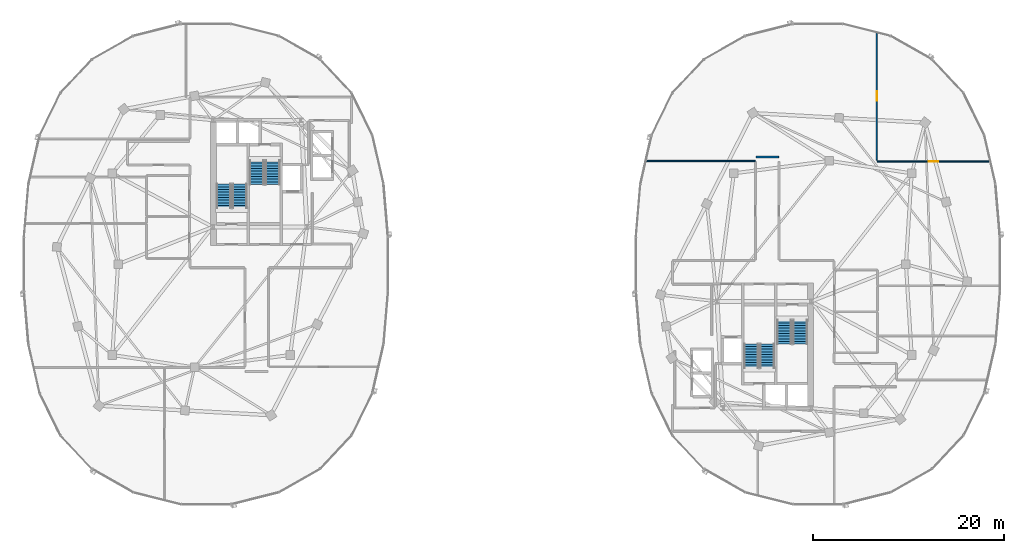
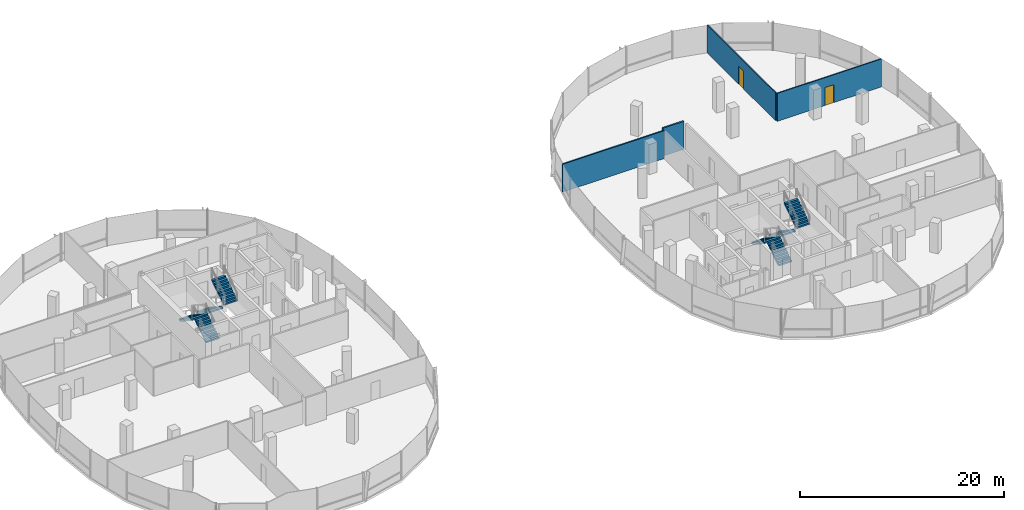
# One storey, part 18 of 25: 8 stair flights, 4 walls, 2 doors, 2 openings, 4 elements without a shape of their own.
"""IFC4 building model written with IfcOpenShell, lengths in metres."""

from ifc_helpers import new_model, si_unit, direction, frame, frame_2d, origin, place, context, subcontext, project, spatial, polyline, rectangle, outline, extrude, material, layer, layer_set, type_object, element, fill, aggregate, save


model = new_model("IFC4")

# Units and contexts
model_context = context("Model", 3, precision=1e-05, world=origin(), true_north=direction((0.0, 1.0)))
body_context = subcontext(model_context, "Body", "Model", "MODEL_VIEW")
ifc_project = project(units=[si_unit("LENGTHUNIT", "METRE"), si_unit("AREAUNIT", "SQUARE_METRE"), si_unit("VOLUMEUNIT", "CUBIC_METRE"), si_unit("PLANEANGLEUNIT", "RADIAN"), si_unit("MASSUNIT", "GRAM", prefix="KILO"), si_unit("THERMODYNAMICTEMPERATUREUNIT", "KELVIN"), si_unit("POWERUNIT", "WATT")], contexts=[model_context])

# Site, building, storey
site_placement = place(None, origin())
site = spatial("IfcSite", under=ifc_project, at=site_placement, CompositionType="ELEMENT")
building_placement = place(site_placement, origin())
building = spatial("IfcBuilding", under=site, at=building_placement, Name="Cundina Bronze Exchange", CompositionType="ELEMENT")
storey_placement = place(building_placement, frame((0.0, 0.0, 217.0)))
storey = spatial("IfcBuildingStorey", under=building, at=storey_placement, Name="L57", CompositionType="ELEMENT", Elevation=217.0)

# Wall
ifc_material_1 = material(Name="Gypsum Fireboard Partition EI120")
ifc_layer_1 = layer(ifc_material_1, 0.179931640625, Name="Gypsum Fireboard Partition EI120")
ifc_layer_set_1 = layer_set([ifc_layer_1], Name="Gypsum Fireboard Partition EI120")
wall_type_1 = type_object("IfcWallType", Name="WL-COR-180", PredefinedType="PARTITIONING", material=ifc_layer_set_1)
wall_1_placement = place(storey_placement, frame((27.87841796875, 11.219970703125, 0.0), z_axis=(0.0, 0.0, 1.0), x_axis=(-1.0, 0.0, 0.0)))
element("IfcWall", 1, at=wall_1_placement, inside=storey, type_object=wall_type_1, Name="L57 Interior Partition 073", PredefinedType="PARTITIONING", context=body_context, shape_type="SweptSolid", body=[
    extrude(rectangle(XDim=2.35693359375, YDim=0.179931640625, at=frame_2d((1.178466796875, 0.0))), origin(), (0.0, 0.0, 1.0), 3.340087890625),
])

# Wall, opening, door
ifc_material_2 = material(Name="Gypsum Acoustic Partition EI60")
ifc_layer_2 = layer(ifc_material_2, 0.125, Name="Gypsum Acoustic Partition EI60")
ifc_layer_set_2 = layer_set([ifc_layer_2], Name="Gypsum Acoustic Partition EI60")
wall_type_2 = type_object("IfcWallType", Name="WL-OFF-125", PredefinedType="PARTITIONING", material=ifc_layer_set_2)
wall_2_placement = place(storey_placement, frame((50.014892578125, 10.739990234375, 0.0), z_axis=(0.0, 0.0, 1.0), x_axis=(-1.0, 0.0, 0.0)))
wall_2 = element("IfcWall", 2, at=wall_2_placement, inside=storey, type_object=wall_type_2, Name="L57 Interior Partition 075", PredefinedType="PARTITIONING", context=body_context, shape_type="SweptSolid", body=[
    extrude(rectangle(XDim=11.824951171875, YDim=0.125, at=frame_2d((5.91259765625, 0.0))), origin(), (0.0, 0.0, 1.0), 3.340087890625),
])
opening_1_placement = place(wall_2_placement, frame((5.412353515625, 0.0, 0.0)))
opening_1 = element("IfcOpeningElement", 3, at=opening_1_placement, cuts=wall_2, Name="Opening DO-01", PredefinedType="OPENING", context=body_context, shape_type="SweptSolid", body=[
    extrude(rectangle(XDim=1.0, YDim=2.14990234375, at=frame_2d((0.5, 1.074951171875))), frame((0.0, 0.072509765625, 0.0), z_axis=(0.0, -1.0, 0.0), x_axis=(1.0, 0.0, 0.0)), (0.0, 0.0, 1.0), 0.14501953125),
])
ifc_material_3 = material(Name="Solid Andean Oak Timber Grade A", Category="wood")
door_type = type_object("IfcDoorType", Name="DR-OFF-1000", OperationType="NOTDEFINED", PredefinedType="DOOR", material=ifc_material_3)
door_1_placement = place(opening_1_placement, origin())
door_1 = element("IfcDoor", 4, at=door_1_placement, inside=storey, type_object=door_type, Name="L57 Interior Door 075", OperationType="SINGLE_SWING_LEFT", OverallHeight=2.14990234375, OverallWidth=1.0, PredefinedType="DOOR", context=body_context, shape_type="SweptSolid", body=[
    extrude(rectangle(XDim=1.0, YDim=2.14990234375, at=frame_2d((0.5, 1.074951171875))), frame((0.0, 0.02490234375, 0.0), z_axis=(0.0, -1.0, 0.0), x_axis=(1.0, 0.0, 0.0)), (0.0, 0.0, 1.0), 0.050048828125),
])
fill(opening_1, door_1)

wall_3_placement = place(storey_placement, frame((38.14990234375, 24.28125, 0.0), z_axis=(0.0, 0.0, 1.0), x_axis=(0.0, -1.0, 0.0)))
wall_3 = element("IfcWall", 5, at=wall_3_placement, inside=storey, type_object=wall_type_2, Name="L57 Interior Partition 076", PredefinedType="PARTITIONING", context=body_context, shape_type="SweptSolid", body=[
    extrude(rectangle(XDim=13.4013671875, YDim=0.125, at=frame_2d((6.70068359375, 0.0))), origin(), (0.0, 0.0, 1.0), 3.340087890625),
])
opening_2_placement = place(wall_3_placement, frame((6.20068359375, 0.0, 0.0)))
opening_2 = element("IfcOpeningElement", 6, at=opening_2_placement, cuts=wall_3, Name="Opening DO-01", PredefinedType="OPENING", context=body_context, shape_type="SweptSolid", body=[
    extrude(rectangle(XDim=1.0, YDim=2.14990234375, at=frame_2d((0.5, 1.074951171875))), frame((0.0, 0.072509765625, 0.0), z_axis=(0.0, -1.0, 0.0), x_axis=(1.0, 0.0, 0.0)), (0.0, 0.0, 1.0), 0.14501953125),
])
door_2_placement = place(opening_2_placement, origin())
door_2 = element("IfcDoor", 7, at=door_2_placement, inside=storey, type_object=door_type, Name="L57 Interior Door 076", OperationType="SINGLE_SWING_RIGHT", OverallHeight=2.14990234375, OverallWidth=1.0, PredefinedType="DOOR", context=body_context, shape_type="SweptSolid", body=[
    extrude(rectangle(XDim=1.0, YDim=2.14990234375, at=frame_2d((0.5, 1.074951171875))), frame((0.0, 0.02490234375, 0.0), z_axis=(0.0, -1.0, 0.0), x_axis=(1.0, 0.0, 0.0)), (0.0, 0.0, 1.0), 0.050048828125),
])
fill(opening_2, door_2)

# Wall
ifc_layer_3 = layer(ifc_material_2, 0.14990234375, Name="Gypsum Acoustic Partition EI60")
ifc_layer_set_3 = layer_set([ifc_layer_3], Name="Gypsum Acoustic Partition EI60")
wall_type_3 = type_object("IfcWallType", Name="WL-TEN-150", PredefinedType="PARTITIONING", material=ifc_layer_set_3)
wall_4_placement = place(storey_placement, frame((13.917724609375, 10.7900390625, 0.0), z_axis=(0.0, 0.0, 1.0), x_axis=(1.0, 0.0, 0.0)))
element("IfcWall", 8, at=wall_4_placement, inside=storey, type_object=wall_type_3, Name="L57 Interior Partition 053", PredefinedType="PARTITIONING", context=body_context, shape_type="SweptSolid", body=[
    extrude(rectangle(XDim=11.5322265625, YDim=0.14990234375, at=frame_2d((5.76611328125, 0.0))), origin(), (0.0, 0.0, 1.0), 3.340087890625),
])

# Stair, stair flights
ifc_material_4 = material(Name="Concrete C40/50", Category="concrete")
stair_type = type_object("IfcStairType", Name="STR-OFF-360", PredefinedType="HALF_TURN_STAIR", material=ifc_material_4)
stair_1_placement = place(storey_placement, origin())
stair_1 = element("IfcStair", 9, at=stair_1_placement, inside=storey, type_object=stair_type, Name="L57 Smokeproof Exit Stair W1", PredefinedType="HALF_TURN_STAIR")
stair_flight_type = type_object("IfcStairFlightType", Name="FLG-OFF-180", PredefinedType="STRAIGHT", material=ifc_material_4)
stair_flight_1_placement = place(storey_placement, frame((-28.489990234375, 5.85009765625, 0.0), z_axis=(0.0, 0.0, 1.0), x_axis=(0.0, 1.0, 0.0)))
stair_flight_1 = element("IfcStairFlight", 10, at=stair_flight_1_placement, type_object=stair_flight_type, Name="ST-W1 flight 1", NumberOfRisers=10, NumberOfTreads=9, PredefinedType="STRAIGHT", RiserHeight=0.18, TreadLength=0.28, context=body_context, shape_type="SweptSolid", body=[
    extrude(outline(polyline([(0.0, 0.0), (0.0, 0.179931640625), (0.280029296875, 0.179931640625), (0.280029296875, 0.360107421875), (0.56005859375, 0.360107421875), (0.56005859375, 0.5400390625), (0.840087890625, 0.5400390625), (0.840087890625, 0.719970703125), (1.1201171875, 0.719970703125), (1.1201171875, 0.89990234375), (1.39990234375, 0.89990234375), (1.39990234375, 1.080078125), (1.679931640625, 1.080078125), (1.679931640625, 1.260009765625), (1.9599609375, 1.260009765625), (1.9599609375, 1.43994140625), (2.239990234375, 1.43994140625), (2.239990234375, 1.6201171875), (2.52001953125, 1.6201171875), (2.52001953125, 1.800048828125), (2.52001953125, 1.44189453125), (0.277099609375, 0.0), (0.0, 0.0)])), frame((0.0, 0.75, 0.0), z_axis=(0.0, -1.0, 0.0), x_axis=(1.0, 0.0, 0.0)), (0.0, 0.0, 1.0), 1.5),
])
stair_flight_2_placement = place(storey_placement, frame((-30.14990234375, 8.3701171875, 1.800048828125), z_axis=(0.0, 0.0, 1.0), x_axis=(0.0, -1.0, 0.0)))
stair_flight_2 = element("IfcStairFlight", 11, at=stair_flight_2_placement, type_object=stair_flight_type, Name="ST-W1 flight 2", NumberOfRisers=10, NumberOfTreads=9, PredefinedType="STRAIGHT", RiserHeight=0.18, TreadLength=0.28, context=body_context, shape_type="SweptSolid", body=[
    extrude(outline(polyline([(0.0, 0.0), (0.0, 0.179931640625), (0.280029296875, 0.179931640625), (0.280029296875, 0.360107421875), (0.56005859375, 0.360107421875), (0.56005859375, 0.5400390625), (0.840087890625, 0.5400390625), (0.840087890625, 0.719970703125), (1.1201171875, 0.719970703125), (1.1201171875, 0.89990234375), (1.39990234375, 0.89990234375), (1.39990234375, 1.080078125), (1.679931640625, 1.080078125), (1.679931640625, 1.260009765625), (1.9599609375, 1.260009765625), (1.9599609375, 1.43994140625), (2.239990234375, 1.43994140625), (2.239990234375, 1.6201171875), (2.52001953125, 1.6201171875), (2.52001953125, 1.800048828125), (2.52001953125, 1.44189453125), (0.277099609375, 0.0), (0.0, 0.0)])), frame((0.0, 0.75, 0.0), z_axis=(0.0, -1.0, 0.0), x_axis=(1.0, 0.0, 0.0)), (0.0, 0.0, 1.0), 1.5),
])
aggregate(stair_1, [stair_flight_1, stair_flight_2])

stair_2_placement = place(storey_placement, origin())
stair_2 = element("IfcStair", 12, at=stair_2_placement, inside=storey, type_object=stair_type, Name="L57 Smokeproof Exit Stair W2", PredefinedType="HALF_TURN_STAIR")
stair_flight_3_placement = place(storey_placement, frame((-26.68994140625, 10.85009765625, 0.0), z_axis=(0.0, 0.0, 1.0), x_axis=(0.0, -1.0, 0.0)))
stair_flight_3 = element("IfcStairFlight", 13, at=stair_flight_3_placement, type_object=stair_flight_type, Name="ST-W2 flight 1", NumberOfRisers=10, NumberOfTreads=9, PredefinedType="STRAIGHT", RiserHeight=0.18, TreadLength=0.28, context=body_context, shape_type="SweptSolid", body=[
    extrude(outline(polyline([(0.0, 0.0), (0.0, 0.179931640625), (0.280029296875, 0.179931640625), (0.280029296875, 0.360107421875), (0.56005859375, 0.360107421875), (0.56005859375, 0.5400390625), (0.840087890625, 0.5400390625), (0.840087890625, 0.719970703125), (1.1201171875, 0.719970703125), (1.1201171875, 0.89990234375), (1.39990234375, 0.89990234375), (1.39990234375, 1.080078125), (1.679931640625, 1.080078125), (1.679931640625, 1.260009765625), (1.9599609375, 1.260009765625), (1.9599609375, 1.43994140625), (2.239990234375, 1.43994140625), (2.239990234375, 1.6201171875), (2.52001953125, 1.6201171875), (2.52001953125, 1.800048828125), (2.52001953125, 1.44189453125), (0.277099609375, 0.0), (0.0, 0.0)])), frame((0.0, 0.75, 0.0), z_axis=(0.0, -1.0, 0.0), x_axis=(1.0, 0.0, 0.0)), (0.0, 0.0, 1.0), 1.5),
])
stair_flight_4_placement = place(storey_placement, frame((-25.030029296875, 8.330078125, 1.800048828125), z_axis=(0.0, 0.0, 1.0), x_axis=(0.0, 1.0, 0.0)))
stair_flight_4 = element("IfcStairFlight", 14, at=stair_flight_4_placement, type_object=stair_flight_type, Name="ST-W2 flight 2", NumberOfRisers=10, NumberOfTreads=9, PredefinedType="STRAIGHT", RiserHeight=0.18, TreadLength=0.28, context=body_context, shape_type="SweptSolid", body=[
    extrude(outline(polyline([(0.0, 0.0), (0.0, 0.179931640625), (0.280029296875, 0.179931640625), (0.280029296875, 0.360107421875), (0.56005859375, 0.360107421875), (0.56005859375, 0.5400390625), (0.840087890625, 0.5400390625), (0.840087890625, 0.719970703125), (1.1201171875, 0.719970703125), (1.1201171875, 0.89990234375), (1.39990234375, 0.89990234375), (1.39990234375, 1.080078125), (1.679931640625, 1.080078125), (1.679931640625, 1.260009765625), (1.9599609375, 1.260009765625), (1.9599609375, 1.43994140625), (2.239990234375, 1.43994140625), (2.239990234375, 1.6201171875), (2.52001953125, 1.6201171875), (2.52001953125, 1.800048828125), (2.52001953125, 1.44189453125), (0.277099609375, 0.0), (0.0, 0.0)])), frame((0.0, 0.75, 0.0), z_axis=(0.0, -1.0, 0.0), x_axis=(1.0, 0.0, 0.0)), (0.0, 0.0, 1.0), 1.5),
])
aggregate(stair_2, [stair_flight_3, stair_flight_4])

stair_3_placement = place(storey_placement, origin())
stair_3 = element("IfcStair", 15, at=stair_3_placement, inside=storey, type_object=stair_type, Name="L57 Smokeproof Exit Stair E1", PredefinedType="HALF_TURN_STAIR")
stair_flight_5_placement = place(storey_placement, frame((28.489990234375, -5.85009765625, 0.0), z_axis=(0.0, 0.0, 1.0), x_axis=(0.0, -1.0, 0.0)))
stair_flight_5 = element("IfcStairFlight", 16, at=stair_flight_5_placement, type_object=stair_flight_type, Name="ST-E1 flight 1", NumberOfRisers=10, NumberOfTreads=9, PredefinedType="STRAIGHT", RiserHeight=0.18, TreadLength=0.28, context=body_context, shape_type="SweptSolid", body=[
    extrude(outline(polyline([(0.0, 0.0), (0.0, 0.179931640625), (0.280029296875, 0.179931640625), (0.280029296875, 0.360107421875), (0.56005859375, 0.360107421875), (0.56005859375, 0.5400390625), (0.840087890625, 0.5400390625), (0.840087890625, 0.719970703125), (1.1201171875, 0.719970703125), (1.1201171875, 0.89990234375), (1.39990234375, 0.89990234375), (1.39990234375, 1.080078125), (1.679931640625, 1.080078125), (1.679931640625, 1.260009765625), (1.9599609375, 1.260009765625), (1.9599609375, 1.43994140625), (2.239990234375, 1.43994140625), (2.239990234375, 1.6201171875), (2.52001953125, 1.6201171875), (2.52001953125, 1.800048828125), (2.52001953125, 1.44189453125), (0.277099609375, 0.0), (0.0, 0.0)])), frame((0.0, 0.75, 0.0), z_axis=(0.0, -1.0, 0.0), x_axis=(1.0, 0.0, 0.0)), (0.0, 0.0, 1.0), 1.5),
])
stair_flight_6_placement = place(storey_placement, frame((30.14990234375, -8.3701171875, 1.800048828125), z_axis=(0.0, 0.0, 1.0), x_axis=(0.0, 1.0, 0.0)))
stair_flight_6 = element("IfcStairFlight", 17, at=stair_flight_6_placement, type_object=stair_flight_type, Name="ST-E1 flight 2", NumberOfRisers=10, NumberOfTreads=9, PredefinedType="STRAIGHT", RiserHeight=0.18, TreadLength=0.28, context=body_context, shape_type="SweptSolid", body=[
    extrude(outline(polyline([(0.0, 0.0), (0.0, 0.179931640625), (0.280029296875, 0.179931640625), (0.280029296875, 0.360107421875), (0.56005859375, 0.360107421875), (0.56005859375, 0.5400390625), (0.840087890625, 0.5400390625), (0.840087890625, 0.719970703125), (1.1201171875, 0.719970703125), (1.1201171875, 0.89990234375), (1.39990234375, 0.89990234375), (1.39990234375, 1.080078125), (1.679931640625, 1.080078125), (1.679931640625, 1.260009765625), (1.9599609375, 1.260009765625), (1.9599609375, 1.43994140625), (2.239990234375, 1.43994140625), (2.239990234375, 1.6201171875), (2.52001953125, 1.6201171875), (2.52001953125, 1.800048828125), (2.52001953125, 1.44189453125), (0.277099609375, 0.0), (0.0, 0.0)])), frame((0.0, 0.75, 0.0), z_axis=(0.0, -1.0, 0.0), x_axis=(1.0, 0.0, 0.0)), (0.0, 0.0, 1.0), 1.5),
])
aggregate(stair_3, [stair_flight_5, stair_flight_6])

stair_4_placement = place(storey_placement, origin())
stair_4 = element("IfcStair", 18, at=stair_4_placement, inside=storey, type_object=stair_type, Name="L57 Smokeproof Exit Stair E2", PredefinedType="HALF_TURN_STAIR")
stair_flight_7_placement = place(storey_placement, frame((26.68994140625, -10.85009765625, 0.0), z_axis=(0.0, 0.0, 1.0), x_axis=(0.0, 1.0, 0.0)))
stair_flight_7 = element("IfcStairFlight", 19, at=stair_flight_7_placement, type_object=stair_flight_type, Name="ST-E2 flight 1", NumberOfRisers=10, NumberOfTreads=9, PredefinedType="STRAIGHT", RiserHeight=0.18, TreadLength=0.28, context=body_context, shape_type="SweptSolid", body=[
    extrude(outline(polyline([(0.0, 0.0), (0.0, 0.179931640625), (0.280029296875, 0.179931640625), (0.280029296875, 0.360107421875), (0.56005859375, 0.360107421875), (0.56005859375, 0.5400390625), (0.840087890625, 0.5400390625), (0.840087890625, 0.719970703125), (1.1201171875, 0.719970703125), (1.1201171875, 0.89990234375), (1.39990234375, 0.89990234375), (1.39990234375, 1.080078125), (1.679931640625, 1.080078125), (1.679931640625, 1.260009765625), (1.9599609375, 1.260009765625), (1.9599609375, 1.43994140625), (2.239990234375, 1.43994140625), (2.239990234375, 1.6201171875), (2.52001953125, 1.6201171875), (2.52001953125, 1.800048828125), (2.52001953125, 1.44189453125), (0.277099609375, 0.0), (0.0, 0.0)])), frame((0.0, 0.75, 0.0), z_axis=(0.0, -1.0, 0.0), x_axis=(1.0, 0.0, 0.0)), (0.0, 0.0, 1.0), 1.5),
])
stair_flight_8_placement = place(storey_placement, frame((25.030029296875, -8.330078125, 1.800048828125), z_axis=(0.0, 0.0, 1.0), x_axis=(0.0, -1.0, 0.0)))
stair_flight_8 = element("IfcStairFlight", 20, at=stair_flight_8_placement, type_object=stair_flight_type, Name="ST-E2 flight 2", NumberOfRisers=10, NumberOfTreads=9, PredefinedType="STRAIGHT", RiserHeight=0.18, TreadLength=0.28, context=body_context, shape_type="SweptSolid", body=[
    extrude(outline(polyline([(0.0, 0.0), (0.0, 0.179931640625), (0.280029296875, 0.179931640625), (0.280029296875, 0.360107421875), (0.56005859375, 0.360107421875), (0.56005859375, 0.5400390625), (0.840087890625, 0.5400390625), (0.840087890625, 0.719970703125), (1.1201171875, 0.719970703125), (1.1201171875, 0.89990234375), (1.39990234375, 0.89990234375), (1.39990234375, 1.080078125), (1.679931640625, 1.080078125), (1.679931640625, 1.260009765625), (1.9599609375, 1.260009765625), (1.9599609375, 1.43994140625), (2.239990234375, 1.43994140625), (2.239990234375, 1.6201171875), (2.52001953125, 1.6201171875), (2.52001953125, 1.800048828125), (2.52001953125, 1.44189453125), (0.277099609375, 0.0), (0.0, 0.0)])), frame((0.0, 0.75, 0.0), z_axis=(0.0, -1.0, 0.0), x_axis=(1.0, 0.0, 0.0)), (0.0, 0.0, 1.0), 1.5),
])
aggregate(stair_4, [stair_flight_7, stair_flight_8])

save(model, "model.ifc")
